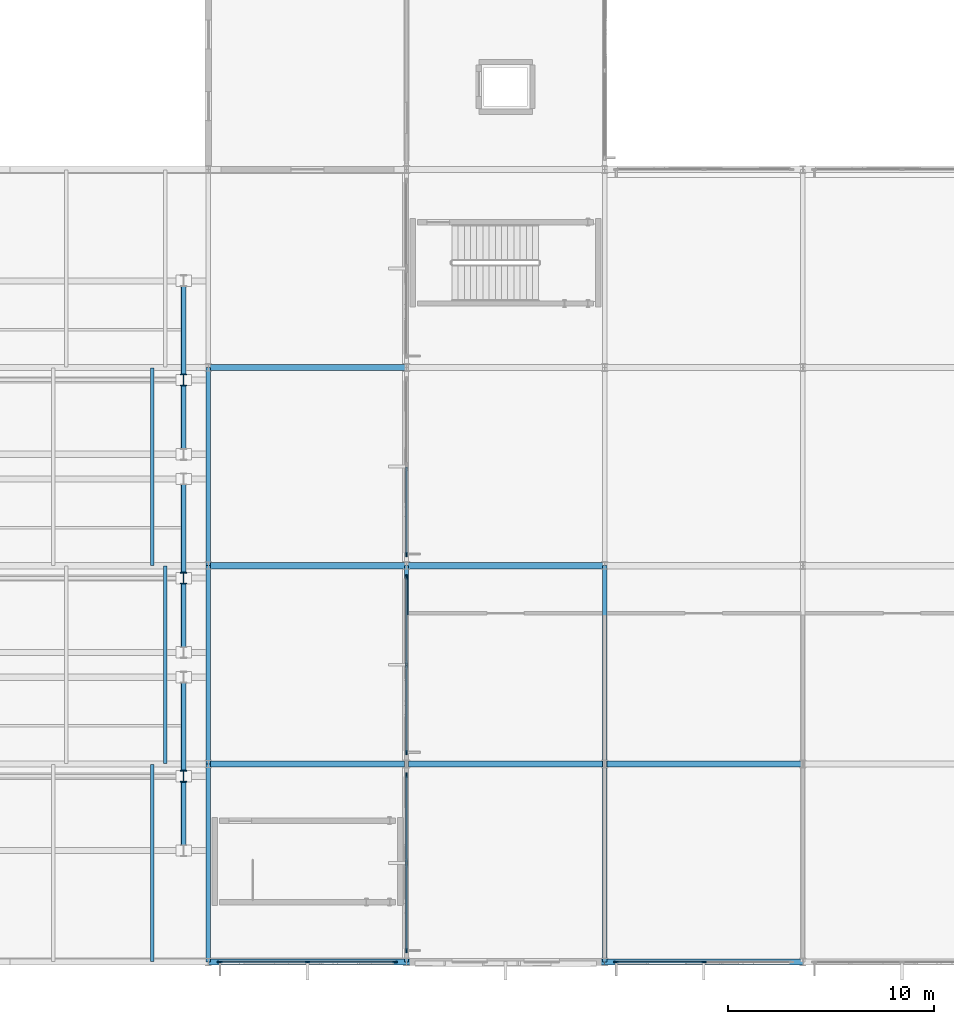
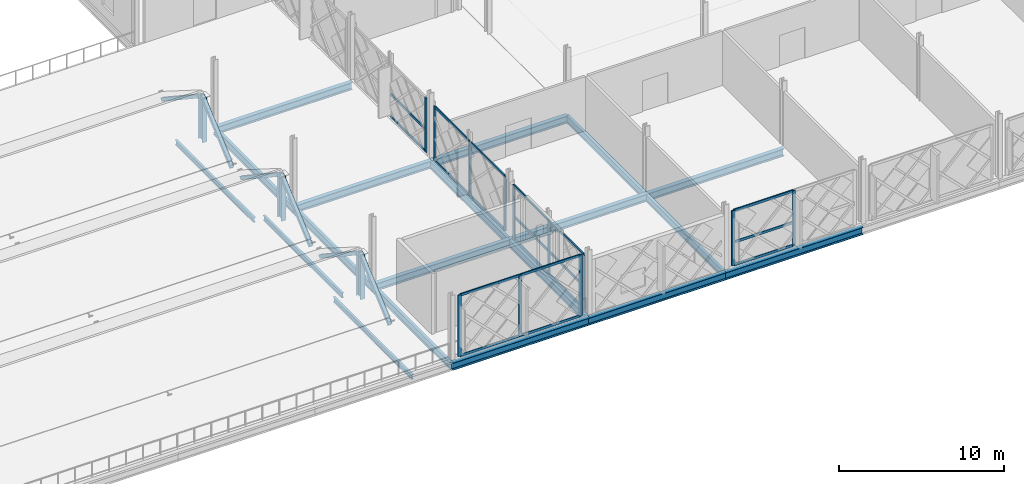
# One storey, part 19 of 77: 40 members, 19 beams, 5 elements without a shape of their own.
"""IFC4 building model written with IfcOpenShell, lengths in metres."""

from ifc_helpers import new_model, si_unit, direction, frame, origin, origin_2d, place, context, subcontext, project, spatial, rectangle, hollow_rectangle, i_section, extrude, material, layer, layer_set, material_profile, profile_set, type_object, element, aggregate, save


model = new_model("IFC4")

# Units and contexts
model_context = context("Model", 3, precision=1e-05, world=origin(), true_north=direction((0.0, 1.0)))
body_context = subcontext(model_context, "Body", "Model", "MODEL_VIEW")
ifc_project = project(units=[si_unit("LENGTHUNIT", "METRE"), si_unit("AREAUNIT", "SQUARE_METRE"), si_unit("VOLUMEUNIT", "CUBIC_METRE"), si_unit("PLANEANGLEUNIT", "RADIAN"), si_unit("MASSUNIT", "GRAM", prefix="KILO")], contexts=[model_context])

# Site, building, storey
site_placement = place(None, origin())
site = spatial("IfcSite", under=ifc_project, at=site_placement, CompositionType="ELEMENT")
building_placement = place(site_placement, origin())
building = spatial("IfcBuilding", under=site, at=building_placement, Name="Zevrakil Square Congress Hotel", CompositionType="ELEMENT")
storey_placement = place(building_placement, frame((0.0, 0.0, 9.89990234375)))
storey = spatial("IfcBuildingStorey", under=building, at=storey_placement, Name="L03", CompositionType="ELEMENT", Elevation=9.89990234375)

# Beams
ifc_material_1 = material(Name="Steel S355", Category="steel")
ifc_material_profile_1 = material_profile(ifc_material_1, i_section(OverallWidth=0.300048828125, OverallDepth=0.5400390625, WebThickness=0.012451171875, FlangeThickness=0.02392578125, FilletRadius=0.027099609375, at=origin_2d()), Name="HEA 550")
ifc_profile_set_1 = profile_set([ifc_material_profile_1], Name="Steel S355")
beam_type_1 = type_object("IfcBeamType", Name="BM-HEA550", PredefinedType="BEAM", material=ifc_profile_set_1)
beam_1_placement = place(storey_placement, frame((45.60009765625, 7.199951171875, -0.52978515625), z_axis=(1.0, 0.0, 0.0), x_axis=(0.0, 1.0, 0.0)))
element("IfcBeam", 1, at=beam_1_placement, inside=storey, type_object=beam_type_1, Name="L03 primary girder BX-0972", PredefinedType="BEAM", context=body_context, shape_type="SweptSolid", body=[
    extrude(i_section(OverallWidth=0.300048828125, OverallDepth=0.5400390625, WebThickness=0.012451171875, FlangeThickness=0.02392578125, FilletRadius=0.027099609375, at=origin_2d()), origin(), (0.0, 0.0, 1.0), 9.599853515625),
])
beam_2_placement = place(storey_placement, frame((55.199951171875, 7.199951171875, -0.52978515625), z_axis=(1.0, 0.0, 0.0), x_axis=(0.0, 1.0, 0.0)))
element("IfcBeam", 2, at=beam_2_placement, inside=storey, type_object=beam_type_1, Name="L03 primary girder BX-0973", PredefinedType="BEAM", context=body_context, shape_type="SweptSolid", body=[
    extrude(i_section(OverallWidth=0.300048828125, OverallDepth=0.5400390625, WebThickness=0.012451171875, FlangeThickness=0.02392578125, FilletRadius=0.027099609375, at=origin_2d()), origin(), (0.0, 0.0, 1.0), 9.60009765625),
])
for number, where, z_axis, x_axis, name in (
    (3, (64.800048828125, 7.199951171875, -0.52978515625), (1.0, 0.0, 0.0), (0.0, 1.0, 0.0), "L03 primary girder BX-0974"),
    (4, (45.60009765625, 16.800048828125, -0.52978515625), (1.0, 0.0, 0.0), (0.0, 1.0, 0.0), "L03 primary girder BX-0983"),
):
    element("IfcBeam", number, at=place(storey_placement, frame(where, z_axis=z_axis, x_axis=x_axis)), inside=storey, type_object=beam_type_1, Name=name, PredefinedType="BEAM", context=body_context, shape_type="SweptSolid", body=[
        extrude(i_section(OverallWidth=0.300048828125, OverallDepth=0.5400390625, WebThickness=0.012451171875, FlangeThickness=0.02392578125, FilletRadius=0.027099609375, at=origin_2d()), origin(), (0.0, 0.0, 1.0), 9.599853515625),
    ])
beam_3_placement = place(storey_placement, frame((55.199951171875, 16.800048828125, -0.52978515625), z_axis=(1.0, 0.0, 0.0), x_axis=(0.0, 1.0, 0.0)))
element("IfcBeam", 5, at=beam_3_placement, inside=storey, type_object=beam_type_1, Name="L03 primary girder BX-0984", PredefinedType="BEAM", context=body_context, shape_type="SweptSolid", body=[
    extrude(i_section(OverallWidth=0.300048828125, OverallDepth=0.5400390625, WebThickness=0.012451171875, FlangeThickness=0.02392578125, FilletRadius=0.027099609375, at=origin_2d()), origin(), (0.0, 0.0, 1.0), 9.60009765625),
])
for number, where, z_axis, x_axis, name in (
    (6, (64.800048828125, 16.800048828125, -0.52978515625), (1.0, 0.0, 0.0), (0.0, 1.0, 0.0), "L03 primary girder BX-0985"),
    (7, (45.60009765625, 26.39990234375, -0.52978515625), (1.0, 0.0, 0.0), (0.0, 1.0, 0.0), "L03 primary girder BX-0996"),
):
    element("IfcBeam", number, at=place(storey_placement, frame(where, z_axis=z_axis, x_axis=x_axis)), inside=storey, type_object=beam_type_1, Name=name, PredefinedType="BEAM", context=body_context, shape_type="SweptSolid", body=[
        extrude(i_section(OverallWidth=0.300048828125, OverallDepth=0.5400390625, WebThickness=0.012451171875, FlangeThickness=0.02392578125, FilletRadius=0.027099609375, at=origin_2d()), origin(), (0.0, 0.0, 1.0), 9.599853515625),
    ])
beam_4_placement = place(storey_placement, frame((55.199951171875, 26.39990234375, -0.52978515625), z_axis=(1.0, 0.0, 0.0), x_axis=(0.0, 1.0, 0.0)))
element("IfcBeam", 8, at=beam_4_placement, inside=storey, type_object=beam_type_1, Name="L03 primary girder BX-0997", PredefinedType="BEAM", context=body_context, shape_type="SweptSolid", body=[
    extrude(i_section(OverallWidth=0.300048828125, OverallDepth=0.5400390625, WebThickness=0.012451171875, FlangeThickness=0.02392578125, FilletRadius=0.027099609375, at=origin_2d()), origin(), (0.0, 0.0, 1.0), 9.60009765625),
])
beam_5_placement = place(storey_placement, frame((45.60009765625, 36.0, -0.52978515625), z_axis=(1.0, 0.0, 0.0), x_axis=(0.0, 1.0, 0.0)))
element("IfcBeam", 9, at=beam_5_placement, inside=storey, type_object=beam_type_1, Name="L03 primary girder BX-1007", PredefinedType="BEAM", context=body_context, shape_type="SweptSolid", body=[
    extrude(i_section(OverallWidth=0.300048828125, OverallDepth=0.5400390625, WebThickness=0.012451171875, FlangeThickness=0.02392578125, FilletRadius=0.027099609375, at=origin_2d()), origin(), (0.0, 0.0, 1.0), 9.599853515625),
])
ifc_material_2 = material(Name="Steel S355", Category="steel")
ifc_material_profile_2 = material_profile(ifc_material_2, i_section(OverallWidth=0.2099609375, OverallDepth=0.550048828125, WebThickness=0.010986328125, FlangeThickness=0.01708984375, FilletRadius=0.02392578125, at=origin_2d()), Name="IPE 550")
ifc_profile_set_2 = profile_set([ifc_material_profile_2], Name="Steel S355")
beam_type_2 = type_object("IfcBeamType", Name="BM-IPE550", PredefinedType="BEAM", material=ifc_profile_set_2)
beam_6_placement = place(storey_placement, frame((45.60009765625, 7.199951171875, -0.534912109375), z_axis=(0.0, 1.0, 0.0), x_axis=(-1.0, 0.0, 0.0)))
element("IfcBeam", 10, at=beam_6_placement, inside=storey, type_object=beam_type_2, Name="L03 primary girder BY-1089", PredefinedType="BEAM", context=body_context, shape_type="SweptSolid", body=[
    extrude(i_section(OverallWidth=0.2099609375, OverallDepth=0.550048828125, WebThickness=0.010986328125, FlangeThickness=0.01708984375, FilletRadius=0.02392578125, at=origin_2d()), origin(), (0.0, 0.0, 1.0), 9.60009765625),
])
beam_7_placement = place(storey_placement, frame((45.60009765625, 16.800048828125, -0.534912109375), z_axis=(0.0, 1.0, 0.0), x_axis=(-1.0, 0.0, 0.0)))
element("IfcBeam", 11, at=beam_7_placement, inside=storey, type_object=beam_type_2, Name="L03 primary girder BY-1090", PredefinedType="BEAM", context=body_context, shape_type="SweptSolid", body=[
    extrude(i_section(OverallWidth=0.2099609375, OverallDepth=0.550048828125, WebThickness=0.010986328125, FlangeThickness=0.01708984375, FilletRadius=0.02392578125, at=origin_2d()), origin(), (0.0, 0.0, 1.0), 9.599853515625),
])
for number, where, z_axis, x_axis, name in (
    (12, (45.60009765625, 26.39990234375, -0.534912109375), (0.0, 1.0, 0.0), (-1.0, 0.0, 0.0), "L03 primary girder BY-1091"),
    (13, (55.199951171875, 7.199951171875, -0.534912109375), (0.0, 1.0, 0.0), (-1.0, 0.0, 0.0), "L03 primary girder BY-1100"),
):
    element("IfcBeam", number, at=place(storey_placement, frame(where, z_axis=z_axis, x_axis=x_axis)), inside=storey, type_object=beam_type_2, Name=name, PredefinedType="BEAM", context=body_context, shape_type="SweptSolid", body=[
        extrude(i_section(OverallWidth=0.2099609375, OverallDepth=0.550048828125, WebThickness=0.010986328125, FlangeThickness=0.01708984375, FilletRadius=0.02392578125, at=origin_2d()), origin(), (0.0, 0.0, 1.0), 9.60009765625),
    ])
beam_8_placement = place(storey_placement, frame((55.199951171875, 16.800048828125, -0.534912109375), z_axis=(0.0, 1.0, 0.0), x_axis=(-1.0, 0.0, 0.0)))
element("IfcBeam", 14, at=beam_8_placement, inside=storey, type_object=beam_type_2, Name="L03 primary girder BY-1101", PredefinedType="BEAM", context=body_context, shape_type="SweptSolid", body=[
    extrude(i_section(OverallWidth=0.2099609375, OverallDepth=0.550048828125, WebThickness=0.010986328125, FlangeThickness=0.01708984375, FilletRadius=0.02392578125, at=origin_2d()), origin(), (0.0, 0.0, 1.0), 9.599853515625),
])
beam_9_placement = place(storey_placement, frame((64.800048828125, 7.199951171875, -0.534912109375), z_axis=(0.0, 1.0, 0.0), x_axis=(-1.0, 0.0, 0.0)))
element("IfcBeam", 15, at=beam_9_placement, inside=storey, type_object=beam_type_2, Name="L03 primary girder BY-1111", PredefinedType="BEAM", context=body_context, shape_type="SweptSolid", body=[
    extrude(i_section(OverallWidth=0.2099609375, OverallDepth=0.550048828125, WebThickness=0.010986328125, FlangeThickness=0.01708984375, FilletRadius=0.02392578125, at=origin_2d()), origin(), (0.0, 0.0, 1.0), 9.60009765625),
])
beam_10_placement = place(storey_placement, frame((64.800048828125, 16.800048828125, -0.534912109375), z_axis=(0.0, 1.0, 0.0), x_axis=(-1.0, 0.0, 0.0)))
element("IfcBeam", 16, at=beam_10_placement, inside=storey, type_object=beam_type_2, Name="L03 primary girder BY-1112", PredefinedType="BEAM", context=body_context, shape_type="SweptSolid", body=[
    extrude(i_section(OverallWidth=0.2099609375, OverallDepth=0.550048828125, WebThickness=0.010986328125, FlangeThickness=0.01708984375, FilletRadius=0.02392578125, at=origin_2d()), origin(), (0.0, 0.0, 1.0), 9.599853515625),
])

# Curtain wall, members
ifc_material_3 = material(Name="Aluminium Anodised Bronze", Category="aluminium")
ifc_layer = layer(ifc_material_3, 0.179931640625)
ifc_layer_set = layer_set([ifc_layer], Name="Aluminium Anodised Bronze")
curtain_wall_type = type_object("IfcCurtainWallType", Name="CW-L03-840", PredefinedType="USERDEFINED", material=ifc_layer_set)
curtain_wall_1_placement = place(storey_placement, origin())
curtain_wall_1 = element("IfcCurtainWall", 17, at=curtain_wall_1_placement, inside=storey, type_object=curtain_wall_type, Name="L03 diamond curtain wall CW-L03-0003", ObjectType="GLAZED CURTAIN WALL", PredefinedType="USERDEFINED")
ifc_material_4 = material(Name="Aluminium Anodised Bronze", Category="aluminium")
ifc_material_profile_3 = material_profile(ifc_material_4, rectangle(XDim=0.0849609375, YDim=0.179931640625, at=origin_2d()), Name="ALU 85x180")
ifc_profile_set_3 = profile_set([ifc_material_profile_3], Name="Aluminium Anodised Bronze")
member_type_1 = type_object("IfcMemberType", Name="CWM-ALU85x180", PredefinedType="USERDEFINED", material=ifc_profile_set_3)
member_1_placement = place(storey_placement, frame((46.179931640625, 7.199951171875, 0.030029296875), z_axis=(1.0, 0.0, 0.0), x_axis=(0.0, 1.0, 0.0)))
member_1 = element("IfcMember", 18, at=member_1_placement, type_object=member_type_1, Name="CW-35 transom 1.1", ObjectType="TRANSOM", PredefinedType="USERDEFINED", context=body_context, shape_type="SweptSolid", body=[
    extrude(rectangle(XDim=0.0849609375, YDim=0.179931640625, at=origin_2d()), origin(), (0.0, 0.0, 1.0), 4.190185546875),
])
member_2_placement = place(storey_placement, frame((46.179931640625, 7.199951171875, 4.510009765625), z_axis=(1.0, 0.0, 0.0), x_axis=(0.0, 1.0, 0.0)))
member_2 = element("IfcMember", 19, at=member_2_placement, type_object=member_type_1, Name="CW-35 transom 1.2", ObjectType="TRANSOM", PredefinedType="USERDEFINED", context=body_context, shape_type="SweptSolid", body=[
    extrude(rectangle(XDim=0.0849609375, YDim=0.179931640625, at=origin_2d()), origin(), (0.0, 0.0, 1.0), 4.190185546875),
])
member_3_placement = place(storey_placement, frame((50.429931640625, 7.199951171875, 0.030029296875), z_axis=(1.0, 0.0, 0.0), x_axis=(0.0, 1.0, 0.0)))
member_3 = element("IfcMember", 20, at=member_3_placement, type_object=member_type_1, Name="CW-35 transom 2.1", ObjectType="TRANSOM", PredefinedType="USERDEFINED", context=body_context, shape_type="SweptSolid", body=[
    extrude(rectangle(XDim=0.0849609375, YDim=0.179931640625, at=origin_2d()), origin(), (0.0, 0.0, 1.0), 4.190185546875),
])
member_4_placement = place(storey_placement, frame((50.429931640625, 7.199951171875, 4.510009765625), z_axis=(1.0, 0.0, 0.0), x_axis=(0.0, 1.0, 0.0)))
member_4 = element("IfcMember", 21, at=member_4_placement, type_object=member_type_1, Name="CW-35 transom 2.2", ObjectType="TRANSOM", PredefinedType="USERDEFINED", context=body_context, shape_type="SweptSolid", body=[
    extrude(rectangle(XDim=0.0849609375, YDim=0.179931640625, at=origin_2d()), origin(), (0.0, 0.0, 1.0), 4.190185546875),
])

curtain_wall_2_placement = place(storey_placement, origin())
curtain_wall_2 = element("IfcCurtainWall", 22, at=curtain_wall_2_placement, inside=storey, type_object=curtain_wall_type, Name="L03 diamond curtain wall CW-L03-0006", ObjectType="GLAZED CURTAIN WALL", PredefinedType="USERDEFINED")
member_5_placement = place(storey_placement, frame((65.3798828125, 7.199951171875, 0.030029296875), z_axis=(1.0, 0.0, 0.0), x_axis=(0.0, 1.0, 0.0)))
member_5 = element("IfcMember", 23, at=member_5_placement, type_object=member_type_1, Name="CW-35 transom 1.1", ObjectType="TRANSOM", PredefinedType="USERDEFINED", context=body_context, shape_type="SweptSolid", body=[
    extrude(rectangle(XDim=0.0849609375, YDim=0.179931640625, at=origin_2d()), origin(), (0.0, 0.0, 1.0), 4.190185546875),
])
member_6_placement = place(storey_placement, frame((65.3798828125, 7.199951171875, 1.7158203125), z_axis=(1.0, 0.0, 0.0), x_axis=(0.0, 1.0, 0.0)))
member_6 = element("IfcMember", 24, at=member_6_placement, type_object=member_type_1, Name="CW-35 transom 1.2", ObjectType="TRANSOM", PredefinedType="USERDEFINED", context=body_context, shape_type="SweptSolid", body=[
    extrude(rectangle(XDim=0.0849609375, YDim=0.179931640625, at=origin_2d()), origin(), (0.0, 0.0, 1.0), 4.190185546875),
])
member_7_placement = place(storey_placement, frame((65.3798828125, 7.199951171875, 4.05517578125), z_axis=(1.0, 0.0, 0.0), x_axis=(0.0, 1.0, 0.0)))
member_7 = element("IfcMember", 25, at=member_7_placement, type_object=member_type_1, Name="CW-35 transom 1.3", ObjectType="TRANSOM", PredefinedType="USERDEFINED", context=body_context, shape_type="SweptSolid", body=[
    extrude(rectangle(XDim=0.0849609375, YDim=0.179931640625, at=origin_2d()), origin(), (0.0, 0.0, 1.0), 4.190185546875),
])

curtain_wall_3_placement = place(storey_placement, origin())
curtain_wall_3 = element("IfcCurtainWall", 26, at=curtain_wall_3_placement, inside=storey, type_object=curtain_wall_type, Name="L03 diamond curtain wall CW-L03-0032", ObjectType="GLAZED CURTAIN WALL", PredefinedType="USERDEFINED")
member_8_placement = place(storey_placement, frame((55.199951171875, 7.780029296875, 0.030029296875), z_axis=(0.0, 1.0, 0.0), x_axis=(-1.0, 0.0, 0.0)))
member_8 = element("IfcMember", 27, at=member_8_placement, type_object=member_type_1, Name="CW-35 transom 1.1", ObjectType="TRANSOM", PredefinedType="USERDEFINED", context=body_context, shape_type="SweptSolid", body=[
    extrude(rectangle(XDim=0.0849609375, YDim=0.179931640625, at=origin_2d()), origin(), (0.0, 0.0, 1.0), 4.18994140625),
])
member_9_placement = place(storey_placement, frame((55.199951171875, 7.780029296875, 1.690673828125), z_axis=(0.0, 1.0, 0.0), x_axis=(-1.0, 0.0, 0.0)))
member_9 = element("IfcMember", 28, at=member_9_placement, type_object=member_type_1, Name="CW-35 transom 1.2", ObjectType="TRANSOM", PredefinedType="USERDEFINED", context=body_context, shape_type="SweptSolid", body=[
    extrude(rectangle(XDim=0.0849609375, YDim=0.179931640625, at=origin_2d()), origin(), (0.0, 0.0, 1.0), 4.18994140625),
])
member_10_placement = place(storey_placement, frame((55.199951171875, 7.780029296875, 3.9951171875), z_axis=(0.0, 1.0, 0.0), x_axis=(-1.0, 0.0, 0.0)))
member_10 = element("IfcMember", 29, at=member_10_placement, type_object=member_type_1, Name="CW-35 transom 1.3", ObjectType="TRANSOM", PredefinedType="USERDEFINED", context=body_context, shape_type="SweptSolid", body=[
    extrude(rectangle(XDim=0.0849609375, YDim=0.179931640625, at=origin_2d()), origin(), (0.0, 0.0, 1.0), 4.18994140625),
])
member_11_placement = place(storey_placement, frame((55.199951171875, 12.030029296875, 0.030029296875), z_axis=(0.0, 1.0, 0.0), x_axis=(-1.0, 0.0, 0.0)))
member_11 = element("IfcMember", 30, at=member_11_placement, type_object=member_type_1, Name="CW-35 transom 2.1", ObjectType="TRANSOM", PredefinedType="USERDEFINED", context=body_context, shape_type="SweptSolid", body=[
    extrude(rectangle(XDim=0.0849609375, YDim=0.179931640625, at=origin_2d()), origin(), (0.0, 0.0, 1.0), 4.18994140625),
])
member_12_placement = place(storey_placement, frame((55.199951171875, 12.030029296875, 1.690673828125), z_axis=(0.0, 1.0, 0.0), x_axis=(-1.0, 0.0, 0.0)))
member_12 = element("IfcMember", 31, at=member_12_placement, type_object=member_type_1, Name="CW-35 transom 2.2", ObjectType="TRANSOM", PredefinedType="USERDEFINED", context=body_context, shape_type="SweptSolid", body=[
    extrude(rectangle(XDim=0.0849609375, YDim=0.179931640625, at=origin_2d()), origin(), (0.0, 0.0, 1.0), 4.18994140625),
])
member_13_placement = place(storey_placement, frame((55.199951171875, 12.030029296875, 3.9951171875), z_axis=(0.0, 1.0, 0.0), x_axis=(-1.0, 0.0, 0.0)))
member_13 = element("IfcMember", 32, at=member_13_placement, type_object=member_type_1, Name="CW-35 transom 2.3", ObjectType="TRANSOM", PredefinedType="USERDEFINED", context=body_context, shape_type="SweptSolid", body=[
    extrude(rectangle(XDim=0.0849609375, YDim=0.179931640625, at=origin_2d()), origin(), (0.0, 0.0, 1.0), 4.18994140625),
])

curtain_wall_4_placement = place(storey_placement, origin())
curtain_wall_4 = element("IfcCurtainWall", 33, at=curtain_wall_4_placement, inside=storey, type_object=curtain_wall_type, Name="L03 diamond curtain wall CW-L03-0033", ObjectType="GLAZED CURTAIN WALL", PredefinedType="USERDEFINED")
member_14_placement = place(storey_placement, frame((55.199951171875, 17.3798828125, 0.030029296875), z_axis=(0.0, 1.0, 0.0), x_axis=(-1.0, 0.0, 0.0)))
member_14 = element("IfcMember", 34, at=member_14_placement, type_object=member_type_1, Name="CW-35 transom 1.1", ObjectType="TRANSOM", PredefinedType="USERDEFINED", context=body_context, shape_type="SweptSolid", body=[
    extrude(rectangle(XDim=0.0849609375, YDim=0.179931640625, at=origin_2d()), origin(), (0.0, 0.0, 1.0), 4.190185546875),
])
member_15_placement = place(storey_placement, frame((55.199951171875, 17.3798828125, 3.9951171875), z_axis=(0.0, 1.0, 0.0), x_axis=(-1.0, 0.0, 0.0)))
member_15 = element("IfcMember", 35, at=member_15_placement, type_object=member_type_1, Name="CW-35 transom 1.2", ObjectType="TRANSOM", PredefinedType="USERDEFINED", context=body_context, shape_type="SweptSolid", body=[
    extrude(rectangle(XDim=0.0849609375, YDim=0.179931640625, at=origin_2d()), origin(), (0.0, 0.0, 1.0), 4.190185546875),
])
member_16_placement = place(storey_placement, frame((55.199951171875, 21.6298828125, 0.030029296875), z_axis=(0.0, 1.0, 0.0), x_axis=(-1.0, 0.0, 0.0)))
member_16 = element("IfcMember", 36, at=member_16_placement, type_object=member_type_1, Name="CW-35 transom 2.1", ObjectType="TRANSOM", PredefinedType="USERDEFINED", context=body_context, shape_type="SweptSolid", body=[
    extrude(rectangle(XDim=0.0849609375, YDim=0.179931640625, at=origin_2d()), origin(), (0.0, 0.0, 1.0), 4.190185546875),
])
member_17_placement = place(storey_placement, frame((55.199951171875, 21.6298828125, 3.9951171875), z_axis=(0.0, 1.0, 0.0), x_axis=(-1.0, 0.0, 0.0)))
member_17 = element("IfcMember", 37, at=member_17_placement, type_object=member_type_1, Name="CW-35 transom 2.2", ObjectType="TRANSOM", PredefinedType="USERDEFINED", context=body_context, shape_type="SweptSolid", body=[
    extrude(rectangle(XDim=0.0849609375, YDim=0.179931640625, at=origin_2d()), origin(), (0.0, 0.0, 1.0), 4.190185546875),
])

curtain_wall_5_placement = place(storey_placement, origin())
curtain_wall_5 = element("IfcCurtainWall", 38, at=curtain_wall_5_placement, inside=storey, type_object=curtain_wall_type, Name="L03 diamond curtain wall CW-L03-0034", ObjectType="GLAZED CURTAIN WALL", PredefinedType="USERDEFINED")
member_18_placement = place(storey_placement, frame((55.199951171875, 26.97998046875, 0.030029296875), z_axis=(0.0, 1.0, 0.0), x_axis=(-1.0, 0.0, 0.0)))
member_18 = element("IfcMember", 39, at=member_18_placement, type_object=member_type_1, Name="CW-35 transom 1.1", ObjectType="TRANSOM", PredefinedType="USERDEFINED", context=body_context, shape_type="SweptSolid", body=[
    extrude(rectangle(XDim=0.0849609375, YDim=0.179931640625, at=origin_2d()), origin(), (0.0, 0.0, 1.0), 4.18994140625),
])
member_19_placement = place(storey_placement, frame((55.199951171875, 26.97998046875, 1.690673828125), z_axis=(0.0, 1.0, 0.0), x_axis=(-1.0, 0.0, 0.0)))
member_19 = element("IfcMember", 40, at=member_19_placement, type_object=member_type_1, Name="CW-35 transom 1.2", ObjectType="TRANSOM", PredefinedType="USERDEFINED", context=body_context, shape_type="SweptSolid", body=[
    extrude(rectangle(XDim=0.0849609375, YDim=0.179931640625, at=origin_2d()), origin(), (0.0, 0.0, 1.0), 4.18994140625),
])

# Member
ifc_material_5 = material(Name="Aluminium Anodised Bronze", Category="aluminium")
ifc_material_profile_4 = material_profile(ifc_material_5, rectangle(XDim=0.0849609375, YDim=0.219970703125, at=origin_2d()), Name="ALU 85x220")
ifc_profile_set_4 = profile_set([ifc_material_profile_4], Name="Aluminium Anodised Bronze")
member_type_2 = type_object("IfcMemberType", Name="CWM-ALU85x220", PredefinedType="MULLION", material=ifc_profile_set_4)
member_20_placement = place(storey_placement, frame((46.14990234375, 7.199951171875, 0.0), z_axis=(0.0, 0.0, 1.0), x_axis=(0.0, 1.0, 0.0)))
member_20 = element("IfcMember", 41, at=member_20_placement, type_object=member_type_2, Name="CW-35 mullion 1", PredefinedType="MULLION", context=body_context, shape_type="SweptSolid", body=[
    extrude(rectangle(XDim=0.0849609375, YDim=0.219970703125, at=origin_2d()), origin(), (0.0, 0.0, 1.0), 4.5400390625),
])

member_21_placement = place(storey_placement, frame((50.39990234375, 7.199951171875, 0.0), z_axis=(0.0, 0.0, 1.0), x_axis=(0.0, 1.0, 0.0)))
member_21 = element("IfcMember", 42, at=member_21_placement, type_object=member_type_2, Name="CW-35 mullion 2", PredefinedType="MULLION", context=body_context, shape_type="SweptSolid", body=[
    extrude(rectangle(XDim=0.0849609375, YDim=0.219970703125, at=origin_2d()), origin(), (0.0, 0.0, 1.0), 4.5400390625),
])

member_22_placement = place(storey_placement, frame((54.64990234375, 7.199951171875, 0.0), z_axis=(0.0, 0.0, 1.0), x_axis=(0.0, 1.0, 0.0)))
member_22 = element("IfcMember", 43, at=member_22_placement, type_object=member_type_2, Name="CW-35 mullion 3", PredefinedType="MULLION", context=body_context, shape_type="SweptSolid", body=[
    extrude(rectangle(XDim=0.0849609375, YDim=0.219970703125, at=origin_2d()), origin(), (0.0, 0.0, 1.0), 4.5400390625),
])

aggregate(curtain_wall_1, [member_20, member_21, member_22, member_1, member_2, member_3, member_4])

member_23_placement = place(storey_placement, frame((65.35009765625, 7.199951171875, 0.0), z_axis=(0.0, 0.0, 1.0), x_axis=(0.0, 1.0, 0.0)))
member_23 = element("IfcMember", 44, at=member_23_placement, type_object=member_type_2, Name="CW-35 mullion 1", PredefinedType="MULLION", context=body_context, shape_type="SweptSolid", body=[
    extrude(rectangle(XDim=0.0849609375, YDim=0.219970703125, at=origin_2d()), origin(), (0.0, 0.0, 1.0), 4.085205078125),
])

member_24_placement = place(storey_placement, frame((69.60009765625, 7.199951171875, 0.0), z_axis=(0.0, 0.0, 1.0), x_axis=(0.0, 1.0, 0.0)))
member_24 = element("IfcMember", 45, at=member_24_placement, type_object=member_type_2, Name="CW-35 mullion 2", PredefinedType="MULLION", context=body_context, shape_type="SweptSolid", body=[
    extrude(rectangle(XDim=0.0849609375, YDim=0.219970703125, at=origin_2d()), origin(), (0.0, 0.0, 1.0), 4.085205078125),
])

aggregate(curtain_wall_2, [member_23, member_24, member_5, member_6, member_7])

member_25_placement = place(storey_placement, frame((55.199951171875, 7.75, 0.0), z_axis=(0.0, 0.0, 1.0), x_axis=(-1.0, 0.0, 0.0)))
member_25 = element("IfcMember", 46, at=member_25_placement, type_object=member_type_2, Name="CW-35 mullion 1", PredefinedType="MULLION", context=body_context, shape_type="SweptSolid", body=[
    extrude(rectangle(XDim=0.0849609375, YDim=0.219970703125, at=origin_2d()), origin(), (0.0, 0.0, 1.0), 4.025146484375),
])

member_26_placement = place(storey_placement, frame((55.199951171875, 12.0, 0.0), z_axis=(0.0, 0.0, 1.0), x_axis=(-1.0, 0.0, 0.0)))
member_26 = element("IfcMember", 47, at=member_26_placement, type_object=member_type_2, Name="CW-35 mullion 2", PredefinedType="MULLION", context=body_context, shape_type="SweptSolid", body=[
    extrude(rectangle(XDim=0.0849609375, YDim=0.219970703125, at=origin_2d()), origin(), (0.0, 0.0, 1.0), 4.025146484375),
])

member_27_placement = place(storey_placement, frame((55.199951171875, 16.25, 0.0), z_axis=(0.0, 0.0, 1.0), x_axis=(-1.0, 0.0, 0.0)))
member_27 = element("IfcMember", 48, at=member_27_placement, type_object=member_type_2, Name="CW-35 mullion 3", PredefinedType="MULLION", context=body_context, shape_type="SweptSolid", body=[
    extrude(rectangle(XDim=0.0849609375, YDim=0.219970703125, at=origin_2d()), origin(), (0.0, 0.0, 1.0), 4.025146484375),
])

aggregate(curtain_wall_3, [member_25, member_26, member_27, member_8, member_9, member_10, member_11, member_12, member_13])

member_28_placement = place(storey_placement, frame((55.199951171875, 17.35009765625, 0.0), z_axis=(0.0, 0.0, 1.0), x_axis=(-1.0, 0.0, 0.0)))
member_28 = element("IfcMember", 49, at=member_28_placement, type_object=member_type_2, Name="CW-35 mullion 1", PredefinedType="MULLION", context=body_context, shape_type="SweptSolid", body=[
    extrude(rectangle(XDim=0.0849609375, YDim=0.219970703125, at=origin_2d()), origin(), (0.0, 0.0, 1.0), 4.025146484375),
])

member_29_placement = place(storey_placement, frame((55.199951171875, 21.60009765625, 0.0), z_axis=(0.0, 0.0, 1.0), x_axis=(-1.0, 0.0, 0.0)))
member_29 = element("IfcMember", 50, at=member_29_placement, type_object=member_type_2, Name="CW-35 mullion 2", PredefinedType="MULLION", context=body_context, shape_type="SweptSolid", body=[
    extrude(rectangle(XDim=0.0849609375, YDim=0.219970703125, at=origin_2d()), origin(), (0.0, 0.0, 1.0), 4.025146484375),
])

member_30_placement = place(storey_placement, frame((55.199951171875, 25.85009765625, 0.0), z_axis=(0.0, 0.0, 1.0), x_axis=(-1.0, 0.0, 0.0)))
member_30 = element("IfcMember", 51, at=member_30_placement, type_object=member_type_2, Name="CW-35 mullion 3", PredefinedType="MULLION", context=body_context, shape_type="SweptSolid", body=[
    extrude(rectangle(XDim=0.0849609375, YDim=0.219970703125, at=origin_2d()), origin(), (0.0, 0.0, 1.0), 4.025146484375),
])

aggregate(curtain_wall_4, [member_28, member_29, member_30, member_14, member_15, member_16, member_17])

member_31_placement = place(storey_placement, frame((55.199951171875, 26.949951171875, 0.0), z_axis=(0.0, 0.0, 1.0), x_axis=(-1.0, 0.0, 0.0)))
member_31 = element("IfcMember", 52, at=member_31_placement, type_object=member_type_2, Name="CW-35 mullion 1", PredefinedType="MULLION", context=body_context, shape_type="SweptSolid", body=[
    extrude(rectangle(XDim=0.0849609375, YDim=0.219970703125, at=origin_2d()), origin(), (0.0, 0.0, 1.0), 4.025146484375),
])

aggregate(curtain_wall_5, [member_31, member_18, member_19])

# Beams
ifc_material_6 = material(Name="Steel S355", Category="steel")
ifc_material_profile_5 = material_profile(ifc_material_6, i_section(OverallWidth=0.169921875, OverallDepth=0.360107421875, WebThickness=0.008056640625, FlangeThickness=0.0126953125, FilletRadius=0.01806640625, at=origin_2d()), Name="IPE 360")
ifc_profile_set_5 = profile_set([ifc_material_profile_5], Name="Steel S355")
beam_type_3 = type_object("IfcBeamType", Name="JST-IPE360", PredefinedType="JOIST", material=ifc_profile_set_5)
beam_11_placement = place(storey_placement, frame((42.8798828125, 7.219970703125, -0.429931640625), z_axis=(0.0, 1.0, 0.0), x_axis=(-1.0, 0.0, 0.0)))
element("IfcBeam", 53, at=beam_11_placement, inside=storey, type_object=beam_type_3, Name="Ballroom roof garden secondary beam BPR-17", PredefinedType="JOIST", context=body_context, shape_type="SweptSolid", body=[
    extrude(i_section(OverallWidth=0.169921875, OverallDepth=0.360107421875, WebThickness=0.008056640625, FlangeThickness=0.0126953125, FilletRadius=0.01806640625, at=origin_2d()), origin(), (0.0, 0.0, 1.0), 9.56005859375),
])
beam_12_placement = place(storey_placement, frame((43.52001953125, 16.820068359375, -0.429931640625), z_axis=(0.0, 1.0, 0.0), x_axis=(-1.0, 0.0, 0.0)))
element("IfcBeam", 54, at=beam_12_placement, inside=storey, type_object=beam_type_3, Name="Ballroom roof garden secondary beam BPR-17", PredefinedType="JOIST", context=body_context, shape_type="SweptSolid", body=[
    extrude(i_section(OverallWidth=0.169921875, OverallDepth=0.360107421875, WebThickness=0.008056640625, FlangeThickness=0.0126953125, FilletRadius=0.01806640625, at=origin_2d()), origin(), (0.0, 0.0, 1.0), 9.559814453125),
])
beam_13_placement = place(storey_placement, frame((42.8798828125, 26.419921875, -0.429931640625), z_axis=(0.0, 1.0, 0.0), x_axis=(-1.0, 0.0, 0.0)))
element("IfcBeam", 55, at=beam_13_placement, inside=storey, type_object=beam_type_3, Name="Ballroom roof garden secondary beam BPR-37", PredefinedType="JOIST", context=body_context, shape_type="SweptSolid", body=[
    extrude(i_section(OverallWidth=0.169921875, OverallDepth=0.360107421875, WebThickness=0.008056640625, FlangeThickness=0.0126953125, FilletRadius=0.01806640625, at=origin_2d()), origin(), (0.0, 0.0, 1.0), 9.56005859375),
])

# Members
ifc_material_7 = material(Name="Steel S355", Category="steel")
ifc_material_profile_6 = material_profile(ifc_material_7, hollow_rectangle(XDim=0.25, YDim=0.25, WallThickness=0.012451171875, InnerFilletRadius=0.012451171875, OuterFilletRadius=0.02490234375, at=origin_2d()), Name="SHS 250x250x12.5")
ifc_profile_set_6 = profile_set([ifc_material_profile_6], Name="Steel S355")
member_type_3 = type_object("IfcMemberType", Name="MEM-BRACE-SHS250", PredefinedType="BRACE", material=ifc_profile_set_6)
member_32_placement = place(storey_placement, frame((44.39990234375, 12.60009765625, -0.349853515625), z_axis=(0.0, 0.750501438553, 0.660868815068), x_axis=(-1.0, 0.0, 0.0)))
element("IfcMember", 56, at=member_32_placement, inside=storey, type_object=member_type_3, Name="Ballroom sawtooth roof gable chord BGF-03", PredefinedType="BRACE", context=body_context, shape_type="SweptSolid", body=[
    extrude(hollow_rectangle(XDim=0.25, YDim=0.25, WallThickness=0.012451171875, InnerFilletRadius=0.012451171875, OuterFilletRadius=0.02490234375, at=origin_2d()), origin(), (0.0, 0.0, 1.0), 4.796630859375),
])
member_33_placement = place(storey_placement, frame((44.39990234375, 21.0, -0.349853515625), z_axis=(0.0, -0.834458349614, 0.551071014261), x_axis=(1.0, 0.0, 0.0)))
element("IfcMember", 57, at=member_33_placement, inside=storey, type_object=member_type_3, Name="Ballroom sawtooth roof gable chord BGF-04", PredefinedType="BRACE", context=body_context, shape_type="SweptSolid", body=[
    extrude(hollow_rectangle(XDim=0.25, YDim=0.25, WallThickness=0.012451171875, InnerFilletRadius=0.012451171875, OuterFilletRadius=0.02490234375, at=origin_2d()), origin(), (0.0, 0.0, 1.0), 5.752197265625),
])
member_34_placement = place(storey_placement, frame((44.39990234375, 22.199951171875, -0.349853515625), z_axis=(0.0, 0.750523667167, 0.660843570765), x_axis=(-1.0, 0.0, 0.0)))
element("IfcMember", 58, at=member_34_placement, inside=storey, type_object=member_type_3, Name="Ballroom sawtooth roof gable chord BGF-07", PredefinedType="BRACE", context=body_context, shape_type="SweptSolid", body=[
    extrude(hollow_rectangle(XDim=0.25, YDim=0.25, WallThickness=0.012451171875, InnerFilletRadius=0.012451171875, OuterFilletRadius=0.02490234375, at=origin_2d()), origin(), (0.0, 0.0, 1.0), 4.796875),
])
member_35_placement = place(storey_placement, frame((44.39990234375, 30.60009765625, -0.349853515625), z_axis=(0.0, -0.834458349614, 0.551071014261), x_axis=(1.0, 0.0, 0.0)))
element("IfcMember", 59, at=member_35_placement, inside=storey, type_object=member_type_3, Name="Ballroom sawtooth roof gable chord BGF-08", PredefinedType="BRACE", context=body_context, shape_type="SweptSolid", body=[
    extrude(hollow_rectangle(XDim=0.25, YDim=0.25, WallThickness=0.012451171875, InnerFilletRadius=0.012451171875, OuterFilletRadius=0.02490234375, at=origin_2d()), origin(), (0.0, 0.0, 1.0), 5.752197265625),
])
member_36_placement = place(storey_placement, frame((44.39990234375, 31.800048828125, -0.349853515625), z_axis=(0.0, 0.750501438553, 0.660868815068), x_axis=(-1.0, 0.0, 0.0)))
element("IfcMember", 60, at=member_36_placement, inside=storey, type_object=member_type_3, Name="Ballroom sawtooth roof gable chord BGF-11", PredefinedType="BRACE", context=body_context, shape_type="SweptSolid", body=[
    extrude(hollow_rectangle(XDim=0.25, YDim=0.25, WallThickness=0.012451171875, InnerFilletRadius=0.012451171875, OuterFilletRadius=0.02490234375, at=origin_2d()), origin(), (0.0, 0.0, 1.0), 4.796630859375),
])
member_37_placement = place(storey_placement, frame((44.39990234375, 40.199951171875, -0.349853515625), z_axis=(0.0, -0.834458349614, 0.551071014261), x_axis=(1.0, 0.0, 0.0)))
element("IfcMember", 61, at=member_37_placement, inside=storey, type_object=member_type_3, Name="Ballroom sawtooth roof gable chord BGF-12", PredefinedType="BRACE", context=body_context, shape_type="SweptSolid", body=[
    extrude(hollow_rectangle(XDim=0.25, YDim=0.25, WallThickness=0.012451171875, InnerFilletRadius=0.012451171875, OuterFilletRadius=0.02490234375, at=origin_2d()), origin(), (0.0, 0.0, 1.0), 5.752197265625),
])
ifc_material_8 = material(Name="Steel S355", Category="steel")
ifc_material_profile_7 = material_profile(ifc_material_8, i_section(OverallWidth=0.305908203125, OverallDepth=0.572021484375, WebThickness=0.02099609375, FlangeThickness=0.0400390625, FilletRadius=0.027099609375, at=origin_2d()), Name="HEM 550")
ifc_profile_set_7 = profile_set([ifc_material_profile_7], Name="Steel S355")
member_type_4 = type_object("IfcMemberType", Name="MEM-CHORD-HEM550", PredefinedType="CHORD", material=ifc_profile_set_7)
for number, where, z_axis, x_axis, name in (
    (62, (44.39990234375, 16.199951171875, -0.469970703125), (0.0, 0.0, 1.0), (1.0, 0.0, 0.0), "Ballroom sawtooth ridge post BSR-16E"),
    (63, (44.39990234375, 25.800048828125, -0.469970703125), (0.0, 0.0, 1.0), (1.0, 0.0, 0.0), "Ballroom sawtooth ridge post BSR-25E"),
    (64, (44.39990234375, 35.39990234375, -0.469970703125), (0.0, 0.0, 1.0), (1.0, 0.0, 0.0), "Ballroom sawtooth ridge post BSR-35E"),
):
    element("IfcMember", number, at=place(storey_placement, frame(where, z_axis=z_axis, x_axis=x_axis)), inside=storey, type_object=member_type_4, Name=name, PredefinedType="CHORD", context=body_context, shape_type="SweptSolid", body=[
        extrude(i_section(OverallWidth=0.305908203125, OverallDepth=0.572021484375, WebThickness=0.02099609375, FlangeThickness=0.0400390625, FilletRadius=0.027099609375, at=origin_2d()), origin(), (0.0, 0.0, 1.0), 3.2900390625),
    ])

save(model, "model.ifc")
